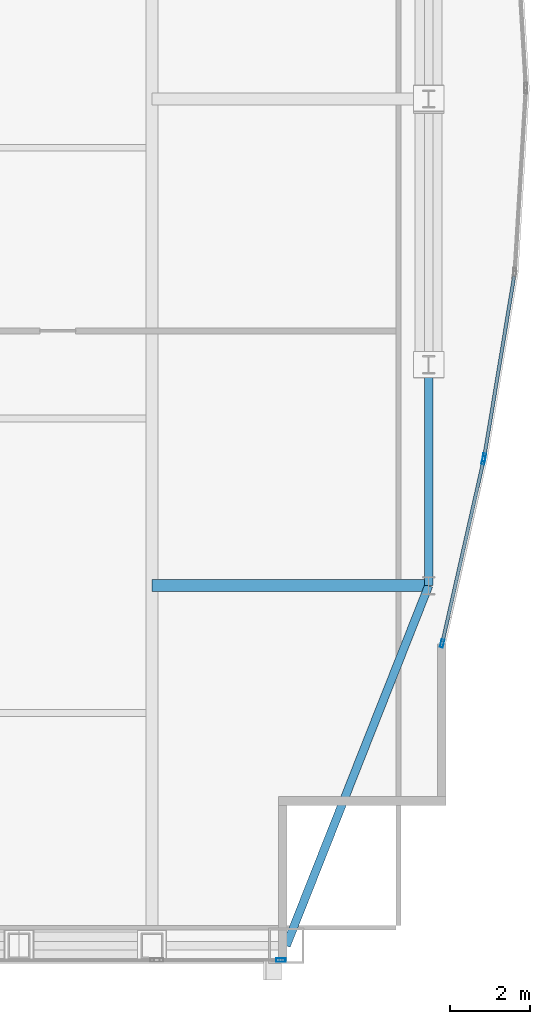
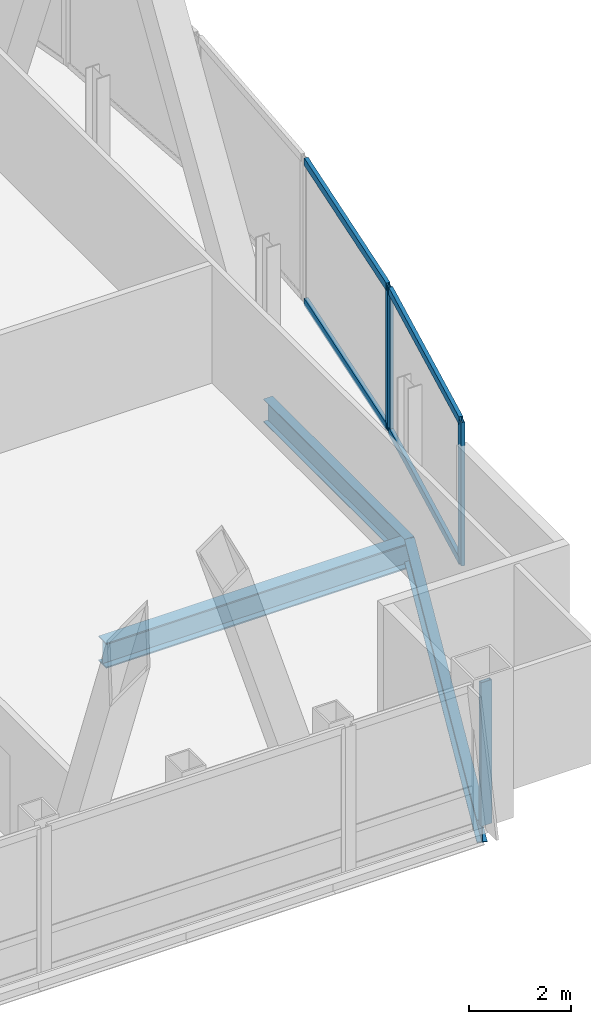
# One storey, part 17 of 31: 8 members, 3 beams, 3 elements without a shape of their own.
"""IFC4 building model written with IfcOpenShell, lengths in metres."""

from ifc_helpers import new_model, si_unit, direction, frame, origin, origin_2d, place, context, subcontext, project, spatial, hollow_rectangle, i_section, extrude, material, material_profile, profile_set, type_object, element, aggregate, save


model = new_model("IFC4")

# Units and contexts
model_context = context("Model", 3, precision=1e-05, world=origin(), true_north=direction((0.0, 1.0)))
body_context = subcontext(model_context, "Body", "Model", "MODEL_VIEW")
ifc_project = project(units=[si_unit("LENGTHUNIT", "METRE"), si_unit("AREAUNIT", "SQUARE_METRE"), si_unit("VOLUMEUNIT", "CUBIC_METRE"), si_unit("PLANEANGLEUNIT", "RADIAN"), si_unit("MASSUNIT", "GRAM", prefix="KILO")], contexts=[model_context])

# Site, building, storey
site_placement = place(None, origin())
site = spatial("IfcSite", under=ifc_project, at=site_placement, CompositionType="ELEMENT")
building_placement = place(site_placement, origin())
building = spatial("IfcBuilding", under=site, at=building_placement, Name="Khoronbel Lancet Exchange", CompositionType="ELEMENT")
storey_placement = place(building_placement, frame((0.0, 0.0, 325.39990234375)))
storey = spatial("IfcBuildingStorey", under=building, at=storey_placement, Name="L84", CompositionType="ELEMENT", Elevation=325.39990234375)

# Beams
ifc_material_1 = material(Name="Steel S355", Category="steel")
ifc_material_profile_1 = material_profile(ifc_material_1, i_section(OverallWidth=0.300048828125, OverallDepth=0.60009765625, WebThickness=0.015380859375, FlangeThickness=0.030029296875, at=origin_2d()), Name="HEB 600")
ifc_profile_set_1 = profile_set([ifc_material_profile_1], Name="Steel S355")
beam_type_1 = type_object("IfcBeamType", Name="BM-BG5", PredefinedType="BEAM", material=ifc_profile_set_1)
beam_1_placement = place(storey_placement, frame((54.675048828125, 19.199951171875, -0.4599609375), z_axis=(1.0, 0.0, 0.0), x_axis=(0.0, 1.0, 0.0)))
element("IfcBeam", 1, at=beam_1_placement, inside=storey, type_object=beam_type_1, Name="Level L84 east lens tie girder LG1E", PredefinedType="BEAM", context=body_context, shape_type="SweptSolid", body=[
    extrude(i_section(OverallWidth=0.300048828125, OverallDepth=0.60009765625, WebThickness=0.015380859375, FlangeThickness=0.030029296875, at=origin_2d()), origin(), (0.0, 0.0, 1.0), 6.954833984375),
])
ifc_material_profile_2 = material_profile(ifc_material_1, i_section(OverallWidth=0.2099609375, OverallDepth=0.550048828125, WebThickness=0.010986328125, FlangeThickness=0.01708984375, at=origin_2d()), Name="IPE 550")
ifc_profile_set_2 = profile_set([ifc_material_profile_2], Name="Steel S355")
beam_type_2 = type_object("IfcBeamType", Name="BM-BSP3", PredefinedType="SPANDREL", material=ifc_profile_set_2)
beam_2_placement = place(storey_placement, frame((58.050048828125, 10.14990234375, -0.434814453125), z_axis=(0.367828403855, 0.929893684954, 0.0), x_axis=(-0.929893684954, 0.367828403855, 0.0)))
element("IfcBeam", 2, at=beam_2_placement, inside=storey, type_object=beam_type_2, Name="Level L84 perimeter spandrel beam SP08", PredefinedType="SPANDREL", context=body_context, shape_type="SweptSolid", body=[
    extrude(i_section(OverallWidth=0.2099609375, OverallDepth=0.550048828125, WebThickness=0.010986328125, FlangeThickness=0.01708984375, at=origin_2d()), origin(), (0.0, 0.0, 1.0), 9.732421875),
])
beam_3_placement = place(storey_placement, frame((61.6298828125, 19.199951171875, -0.434814453125), z_axis=(0.0, 1.0, 0.0), x_axis=(-1.0, 0.0, 0.0)))
element("IfcBeam", 3, at=beam_3_placement, inside=storey, type_object=beam_type_2, Name="Level L84 perimeter spandrel beam SP09", PredefinedType="SPANDREL", context=body_context, shape_type="SweptSolid", body=[
    extrude(i_section(OverallWidth=0.2099609375, OverallDepth=0.550048828125, WebThickness=0.010986328125, FlangeThickness=0.01708984375, at=origin_2d()), origin(), (0.0, 0.0, 1.0), 5.550048828125),
])

# Curtain wall, member
ifc_material_2 = material(Name="Low-E Solar Control Insulating Glass", Category="glass")
curtain_wall_type_1 = type_object("IfcCurtainWallType", Name="CW-3", PredefinedType="NOTDEFINED", material=ifc_material_2)
curtain_wall_1_placement = place(storey_placement, origin())
curtain_wall_1 = element("IfcCurtainWall", 4, at=curtain_wall_1_placement, inside=storey, type_object=curtain_wall_type_1, Name="Unitised curtain wall CW-L84-SEV", PredefinedType="NOTDEFINED")
ifc_material_3 = material(Name="Bronze-Anodised Aluminium 6063-T6", Category="aluminium")
ifc_material_profile_3 = material_profile(ifc_material_3, hollow_rectangle(XDim=0.0849609375, YDim=0.239990234375, WallThickness=0.006103515625, at=origin_2d()), Name="ALU MULLION 85x240")
ifc_profile_set_3 = profile_set([ifc_material_profile_3], Name="Bronze-Anodised Aluminium 6063-T6")
member_type_1 = type_object("IfcMemberType", Name="MEM-CWM1", PredefinedType="MULLION", material=ifc_profile_set_3)
member_1_placement = place(storey_placement, frame((57.91748046875, 9.7900390625, 0.0), z_axis=(0.0, 0.0, 1.0), x_axis=(0.0, 1.0, 0.0)))
member_1 = element("IfcMember", 5, at=member_1_placement, type_object=member_type_1, Name="CW3 mullion 2", PredefinedType="MULLION", context=body_context, shape_type="SweptSolid", body=[
    extrude(hollow_rectangle(XDim=0.0849609375, YDim=0.239990234375, WallThickness=0.006103515625, at=origin_2d()), origin(), (0.0, 0.0, 1.0), 3.440185546875),
])
aggregate(curtain_wall_1, [member_1])

curtain_wall_type_2 = type_object("IfcCurtainWallType", Name="CW-4", PredefinedType="NOTDEFINED", material=ifc_material_2)
curtain_wall_2_placement = place(storey_placement, origin())
curtain_wall_2 = element("IfcCurtainWall", 6, at=curtain_wall_2_placement, inside=storey, type_object=curtain_wall_type_2, Name="Unitised curtain wall CW-L84-E21", PredefinedType="NOTDEFINED")
ifc_material_profile_4 = material_profile(ifc_material_3, hollow_rectangle(XDim=0.074951171875, YDim=0.199951171875, WallThickness=0.0048828125, at=origin_2d()), Name="ALU MULLION 75x200")
ifc_profile_set_4 = profile_set([ifc_material_profile_4], Name="Bronze-Anodised Aluminium 6063-T6")
member_type_2 = type_object("IfcMemberType", Name="MEM-CWM2", PredefinedType="MULLION", material=ifc_profile_set_4)
member_2_placement = place(storey_placement, frame((63.023193359375, 22.4208984375, 0.0), z_axis=(0.0, 0.0, 1.0), x_axis=(0.98657075141, -0.163334480321, 0.0)))
member_2 = element("IfcMember", 7, at=member_2_placement, type_object=member_type_2, Name="CW4 mullion 2", PredefinedType="MULLION", context=body_context, shape_type="SweptSolid", body=[
    extrude(hollow_rectangle(XDim=0.074951171875, YDim=0.199951171875, WallThickness=0.0048828125, at=origin_2d()), origin(), (0.0, 0.0, 1.0), 3.440185546875),
])

# Curtain wall, members
curtain_wall_3_placement = place(storey_placement, origin())
curtain_wall_3 = element("IfcCurtainWall", 8, at=curtain_wall_3_placement, inside=storey, type_object=curtain_wall_type_2, Name="Unitised curtain wall CW-L84-E22", PredefinedType="NOTDEFINED")
member_3_placement = place(storey_placement, frame((63.0087890625, 22.347412109375, 0.0), z_axis=(0.0, 0.0, 1.0), x_axis=(0.975369067716, -0.220579196078, 0.0)))
member_3 = element("IfcMember", 9, at=member_3_placement, type_object=member_type_2, Name="CW4 mullion 1", PredefinedType="MULLION", context=body_context, shape_type="SweptSolid", body=[
    extrude(hollow_rectangle(XDim=0.074951171875, YDim=0.199951171875, WallThickness=0.0048828125, at=origin_2d()), origin(), (0.0, 0.0, 1.0), 3.440185546875),
])
member_4_placement = place(storey_placement, frame((61.96826171875, 17.74658203125, 0.0), z_axis=(0.0, 0.0, 1.0), x_axis=(0.975369067716, -0.220579196078, 0.0)))
member_4 = element("IfcMember", 10, at=member_4_placement, type_object=member_type_2, Name="CW4 mullion 2", PredefinedType="MULLION", context=body_context, shape_type="SweptSolid", body=[
    extrude(hollow_rectangle(XDim=0.074951171875, YDim=0.199951171875, WallThickness=0.0048828125, at=origin_2d()), origin(), (0.0, 0.0, 1.0), 3.440185546875),
])

# Member
ifc_material_profile_5 = material_profile(ifc_material_3, hollow_rectangle(XDim=0.0849609375, YDim=0.179931640625, WallThickness=0.0048828125, at=origin_2d()), Name="ALU TRANSOM 85x180")
ifc_profile_set_5 = profile_set([ifc_material_profile_5], Name="Bronze-Anodised Aluminium 6063-T6")
member_type_3 = type_object("IfcMemberType", Name="MEM-CWT1", PredefinedType="USERDEFINED", material=ifc_profile_set_5)
member_5_placement = place(storey_placement, frame((63.776123046875, 26.969482421875, 0.04248046875), z_axis=(-0.163316680693, -0.986573698113, 0.0), x_axis=(0.986573698113, -0.163316680693, 0.0)))
member_5 = element("IfcMember", 11, at=member_5_placement, type_object=member_type_3, Name="CW4 transom 1.1", ObjectType="TRANSOM", PredefinedType="USERDEFINED", context=body_context, shape_type="SweptSolid", body=[
    extrude(hollow_rectangle(XDim=0.0849609375, YDim=0.179931640625, WallThickness=0.0048828125, at=origin_2d()), origin(), (0.0, 0.0, 1.0), 4.57275390625),
])

member_6_placement = place(storey_placement, frame((63.776123046875, 26.969482421875, 3.397705078125), z_axis=(-0.163316680693, -0.986573698113, 0.0), x_axis=(0.986573698113, -0.163316680693, 0.0)))
member_6 = element("IfcMember", 12, at=member_6_placement, type_object=member_type_3, Name="CW4 transom 1.2", ObjectType="TRANSOM", PredefinedType="USERDEFINED", context=body_context, shape_type="SweptSolid", body=[
    extrude(hollow_rectangle(XDim=0.0849609375, YDim=0.179931640625, WallThickness=0.0048828125, at=origin_2d()), origin(), (0.0, 0.0, 1.0), 4.57275390625),
])

aggregate(curtain_wall_2, [member_2, member_5, member_6])

member_7_placement = place(storey_placement, frame((63.00048828125, 22.310791015625, 0.04248046875), z_axis=(-0.220582103652, -0.975368410165, 0.0), x_axis=(0.975368410165, -0.220582103652, 0.0)))
member_7 = element("IfcMember", 13, at=member_7_placement, type_object=member_type_3, Name="CW4 transom 1.1", ObjectType="TRANSOM", PredefinedType="USERDEFINED", context=body_context, shape_type="SweptSolid", body=[
    extrude(hollow_rectangle(XDim=0.0849609375, YDim=0.179931640625, WallThickness=0.0048828125, at=origin_2d()), origin(), (0.0, 0.0, 1.0), 4.641845703125),
])

member_8_placement = place(storey_placement, frame((63.00048828125, 22.310791015625, 3.397705078125), z_axis=(-0.220582103652, -0.975368410165, 0.0), x_axis=(0.975368410165, -0.220582103652, 0.0)))
member_8 = element("IfcMember", 14, at=member_8_placement, type_object=member_type_3, Name="CW4 transom 1.2", ObjectType="TRANSOM", PredefinedType="USERDEFINED", context=body_context, shape_type="SweptSolid", body=[
    extrude(hollow_rectangle(XDim=0.0849609375, YDim=0.179931640625, WallThickness=0.0048828125, at=origin_2d()), origin(), (0.0, 0.0, 1.0), 4.641845703125),
])

aggregate(curtain_wall_3, [member_3, member_4, member_7, member_8])

save(model, "model.ifc")
